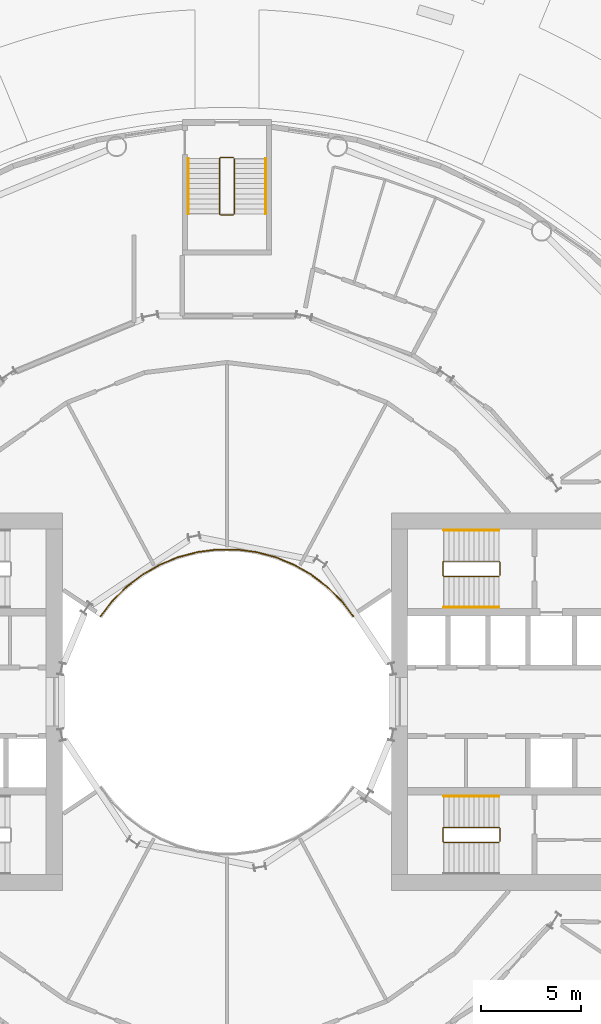
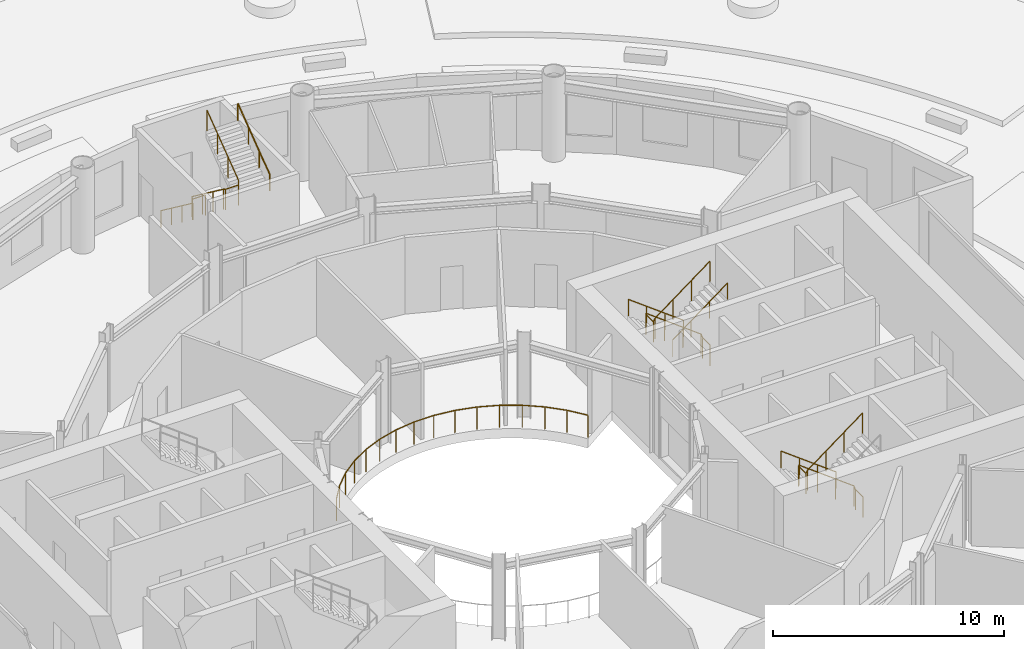
# One storey, part 19 of 19: 9 railings.
"""IFC4 building model written with IfcOpenShell, lengths in metres."""

from ifc_helpers import new_model, si_unit, direction, frame, origin, origin_2d, place, context, subcontext, project, spatial, circle, extrude, material, type_object, element, save


model = new_model("IFC4")

# Units and contexts
model_context = context("Model", 3, precision=1e-05, world=origin(), true_north=direction((0.0, 1.0)))
body_context = subcontext(model_context, "Body", "Model", "MODEL_VIEW")
ifc_project = project(units=[si_unit("LENGTHUNIT", "METRE"), si_unit("AREAUNIT", "SQUARE_METRE"), si_unit("VOLUMEUNIT", "CUBIC_METRE"), si_unit("PLANEANGLEUNIT", "RADIAN"), si_unit("MASSUNIT", "GRAM", prefix="KILO")], contexts=[model_context])

# Site, building, storey
site_placement = place(None, origin())
site = spatial("IfcSite", under=ifc_project, at=site_placement, CompositionType="ELEMENT")
building_placement = place(site_placement, origin())
building = spatial("IfcBuilding", under=site, at=building_placement, Name="Maasbend Ring Residences", CompositionType="ELEMENT")
storey_placement = place(building_placement, frame((0.0, 0.0, 9.60009765625)))
storey = spatial("IfcBuildingStorey", under=building, at=storey_placement, Name="L02", CompositionType="ELEMENT", Elevation=9.60009765625)

# Railings
ifc_material_1 = material(Name="Stainless steel 316 and glass", Category="steel")
railing_type_1 = type_object("IfcRailingType", Name="RL-GUARD", PredefinedType="GUARDRAIL", material=ifc_material_1)
railing_1_placement = place(storey_placement, frame((6.296875, 4.25537109375, 0.0)))
element("IfcRailing", 1, at=railing_1_placement, inside=storey, type_object=railing_type_1, Name="Well guard 1", PredefinedType="GUARDRAIL", context=body_context, shape_type="SweptSolid", body=[
    extrude(circle(Radius=0.02490234375, at=origin_2d()), frame((0.0, 0.0, 1.1748046875), z_axis=(-0.61260637429, 0.790388151593, 0.0), x_axis=(-0.790388151593, -0.61260637429, 0.0)), (0.0, 0.0, 1.0), 0.98876953125),
    extrude(circle(Radius=0.02490234375, at=origin_2d()), frame((-0.605712890625, 0.781494140625, 1.1748046875), z_axis=(-0.710063286319, 0.704137862511, 0.0), x_axis=(-0.704137862511, -0.710063286319, 0.0)), (0.0, 0.0, 1.0), 0.98876953125),
    extrude(circle(Radius=0.02490234375, at=origin_2d()), frame((-1.307861328125, 1.477783203125, 1.1748046875), z_axis=(-0.795414718638, 0.606065528944, 0.0), x_axis=(-0.606065528944, -0.795414718638, 0.0)), (0.0, 0.0, 1.0), 0.989013671875),
    extrude(circle(Radius=0.02490234375, at=origin_2d()), frame((-2.094482421875, 2.0771484375, 1.1748046875), z_axis=(-0.867436652983, 0.497547638987, 0.0), x_axis=(-0.497547638987, -0.867436652983, 0.0)), (0.0, 0.0, 1.0), 0.98876953125),
    extrude(circle(Radius=0.02490234375, at=origin_2d()), frame((-2.9521484375, 2.569091796875, 1.1748046875), z_axis=(-0.924683211941, 0.380737386599, 0.0), x_axis=(-0.380737386599, -0.924683211941, 0.0)), (0.0, 0.0, 1.0), 0.98876953125),
    extrude(circle(Radius=0.02490234375, at=origin_2d()), frame((-3.866455078125, 2.945556640625, 1.1748046875), z_axis=(-0.966279997956, 0.257493622348, 0.0), x_axis=(-0.257493622348, -0.966279997956, 0.0)), (0.0, 0.0, 1.0), 0.989013671875),
    extrude(circle(Radius=0.02490234375, at=origin_2d()), frame((-4.822021484375, 3.2001953125, 1.1748046875), z_axis=(-0.991531433773, 0.129866915878, 0.0), x_axis=(-0.129866915878, -0.991531433773, 0.0)), (0.0, 0.0, 1.0), 0.98876953125),
    extrude(circle(Radius=0.02490234375, at=origin_2d()), frame((-5.802490234375, 3.32861328125, 1.1748046875), z_axis=(-1.0, 0.0, 0.0), x_axis=(0.0, -1.0, 0.0)), (0.0, 0.0, 1.0), 0.98876953125),
    extrude(circle(Radius=0.02490234375, at=origin_2d()), frame((-6.791259765625, 3.32861328125, 1.1748046875), z_axis=(-0.991531433773, -0.129866915878, 0.0), x_axis=(0.129866915878, -0.991531433773, 0.0)), (0.0, 0.0, 1.0), 0.98876953125),
    extrude(circle(Radius=0.02490234375, at=origin_2d()), frame((-7.771728515625, 3.2001953125, 1.1748046875), z_axis=(-0.966279997956, -0.257493622348, 0.0), x_axis=(0.257493622348, -0.966279997956, 0.0)), (0.0, 0.0, 1.0), 0.989013671875),
    extrude(circle(Radius=0.02490234375, at=origin_2d()), frame((-8.727294921875, 2.945556640625, 1.1748046875), z_axis=(-0.924683211941, -0.380737386599, 0.0), x_axis=(0.380737386599, -0.924683211941, 0.0)), (0.0, 0.0, 1.0), 0.98876953125),
    extrude(circle(Radius=0.02490234375, at=origin_2d()), frame((-9.6416015625, 2.569091796875, 1.1748046875), z_axis=(-0.867436652983, -0.497547638987, 0.0), x_axis=(0.497547638987, -0.867436652983, 0.0)), (0.0, 0.0, 1.0), 0.98876953125),
    extrude(circle(Radius=0.02490234375, at=origin_2d()), frame((-10.499267578125, 2.0771484375, 1.1748046875), z_axis=(-0.795414718638, -0.606065528944, 0.0), x_axis=(0.606065528944, -0.795414718638, 0.0)), (0.0, 0.0, 1.0), 0.989013671875),
    extrude(circle(Radius=0.02490234375, at=origin_2d()), frame((-11.285888671875, 1.477783203125, 1.1748046875), z_axis=(-0.710063286319, -0.704137862511, 0.0), x_axis=(0.704137862511, -0.710063286319, 0.0)), (0.0, 0.0, 1.0), 0.98876953125),
    extrude(circle(Radius=0.02490234375, at=origin_2d()), frame((-11.988037109375, 0.781494140625, 1.1748046875), z_axis=(-0.61260637429, -0.790388151593, 0.0), x_axis=(0.790388151593, -0.61260637429, 0.0)), (0.0, 0.0, 1.0), 0.98876953125),
    extrude(circle(Radius=0.02001953125, at=origin_2d()), origin(), (0.0, 0.0, 1.0), 1.14990234375),
    extrude(circle(Radius=0.02001953125, at=origin_2d()), frame((-0.605712890625, 0.781494140625, 0.0)), (0.0, 0.0, 1.0), 1.14990234375),
    extrude(circle(Radius=0.02001953125, at=origin_2d()), frame((-1.307861328125, 1.477783203125, 0.0)), (0.0, 0.0, 1.0), 1.14990234375),
    extrude(circle(Radius=0.02001953125, at=origin_2d()), frame((-2.094482421875, 2.0771484375, 0.0)), (0.0, 0.0, 1.0), 1.14990234375),
    extrude(circle(Radius=0.02001953125, at=origin_2d()), frame((-2.9521484375, 2.569091796875, 0.0)), (0.0, 0.0, 1.0), 1.14990234375),
    extrude(circle(Radius=0.02001953125, at=origin_2d()), frame((-3.866455078125, 2.945556640625, 0.0)), (0.0, 0.0, 1.0), 1.14990234375),
    extrude(circle(Radius=0.02001953125, at=origin_2d()), frame((-4.822021484375, 3.2001953125, 0.0)), (0.0, 0.0, 1.0), 1.14990234375),
    extrude(circle(Radius=0.02001953125, at=origin_2d()), frame((-5.802490234375, 3.32861328125, 0.0)), (0.0, 0.0, 1.0), 1.14990234375),
    extrude(circle(Radius=0.02001953125, at=origin_2d()), frame((-6.791259765625, 3.32861328125, 0.0)), (0.0, 0.0, 1.0), 1.14990234375),
    extrude(circle(Radius=0.02001953125, at=origin_2d()), frame((-7.771728515625, 3.2001953125, 0.0)), (0.0, 0.0, 1.0), 1.14990234375),
    extrude(circle(Radius=0.02001953125, at=origin_2d()), frame((-8.727294921875, 2.945556640625, 0.0)), (0.0, 0.0, 1.0), 1.14990234375),
    extrude(circle(Radius=0.02001953125, at=origin_2d()), frame((-9.6416015625, 2.569091796875, 0.0)), (0.0, 0.0, 1.0), 1.14990234375),
    extrude(circle(Radius=0.02001953125, at=origin_2d()), frame((-10.499267578125, 2.0771484375, 0.0)), (0.0, 0.0, 1.0), 1.14990234375),
    extrude(circle(Radius=0.02001953125, at=origin_2d()), frame((-11.285888671875, 1.477783203125, 0.0)), (0.0, 0.0, 1.0), 1.14990234375),
    extrude(circle(Radius=0.02001953125, at=origin_2d()), frame((-11.988037109375, 0.781494140625, 0.0)), (0.0, 0.0, 1.0), 1.14990234375),
    extrude(circle(Radius=0.02001953125, at=origin_2d()), frame((-12.59375, 0.0, 0.0)), (0.0, 0.0, 1.0), 1.14990234375),
])
ifc_material_2 = material(Name="Stainless steel 316", Category="steel")
railing_type_2 = type_object("IfcRailingType", Name="STAIR GUARD 1100", PredefinedType="GUARDRAIL", material=ifc_material_2)
railing_2_placement = place(storey_placement, frame((13.60009765625, 6.300048828125, 0.0)))
element("IfcRailing", 2, at=railing_2_placement, inside=storey, type_object=railing_type_2, Name="L02 ST-E1 stair guard 1", PredefinedType="GUARDRAIL", context=body_context, shape_type="SweptSolid", body=[
    extrude(circle(Radius=0.02392578125, at=origin_2d()), frame((0.0, 0.0, 1.076171875), z_axis=(0.0, 1.0, 0.0), x_axis=(-1.0, 0.0, 0.0)), (0.0, 0.0, 1.0), 0.64990234375),
    extrude(circle(Radius=0.02392578125, at=origin_2d()), frame((0.0, 0.64990234375, 1.076171875), z_axis=(-0.249726431254, 0.249726431254, 0.935560483917), x_axis=(-0.707106781187, -0.707106781187, 0.0)), (0.0, 0.0, 1.0), 0.200439453125),
    extrude(circle(Radius=0.02392578125, at=origin_2d()), frame((-0.050048828125, 0.699951171875, 1.263671875), z_axis=(-0.8, 0.0, 0.6), x_axis=(0.0, -1.0, 0.0)), (0.0, 0.0, 1.0), 3.4375),
    extrude(circle(Radius=0.02392578125, at=origin_2d()), frame((-2.800048828125, 0.699951171875, 3.326171875), z_axis=(-0.707106781187, -0.707106781187, 0.0), x_axis=(0.707106781187, -0.707106781187, 0.0)), (0.0, 0.0, 1.0), 0.07080078125),
    extrude(circle(Radius=0.02392578125, at=origin_2d()), frame((-2.85009765625, 0.64990234375, 3.326171875), z_axis=(0.0, -1.0, 0.0), x_axis=(1.0, 0.0, 0.0)), (0.0, 0.0, 1.0), 0.64990234375),
    extrude(circle(Radius=0.02392578125, at=origin_2d()), frame((-2.85009765625, 0.0, 3.326171875), z_axis=(0.249726431254, -0.249726431254, 0.935560483917), x_axis=(0.707106781187, 0.707106781187, 0.0)), (0.0, 0.0, 1.0), 0.200439453125),
    extrude(circle(Radius=0.02392578125, at=origin_2d()), frame((-2.800048828125, -0.050048828125, 3.513671875), z_axis=(0.8, 0.0, 0.6), x_axis=(0.0, 1.0, 0.0)), (0.0, 0.0, 1.0), 3.4375),
    extrude(circle(Radius=0.02099609375, at=origin_2d()), origin(), (0.0, 0.0, 1.0), 1.052001953125),
    extrude(circle(Radius=0.02099609375, at=origin_2d()), frame((0.0, 0.64990234375, 0.0)), (0.0, 0.0, 1.0), 1.052001953125),
    extrude(circle(Radius=0.02099609375, at=origin_2d()), frame((-0.050048828125, 0.699951171875, 0.1875)), (0.0, 0.0, 1.0), 1.052001953125),
    extrude(circle(Radius=0.02099609375, at=origin_2d()), frame((-0.966796875, 0.699951171875, 0.875)), (0.0, 0.0, 1.0), 1.052001953125),
    extrude(circle(Radius=0.02099609375, at=origin_2d()), frame((-1.88330078125, 0.699951171875, 1.5625)), (0.0, 0.0, 1.0), 1.052001953125),
    extrude(circle(Radius=0.02099609375, at=origin_2d()), frame((-2.800048828125, 0.699951171875, 2.25)), (0.0, 0.0, 1.0), 1.052001953125),
    extrude(circle(Radius=0.02099609375, at=origin_2d()), frame((-2.85009765625, 0.64990234375, 2.25)), (0.0, 0.0, 1.0), 1.052001953125),
    extrude(circle(Radius=0.02099609375, at=origin_2d()), frame((-2.85009765625, 0.0, 2.25)), (0.0, 0.0, 1.0), 1.052001953125),
    extrude(circle(Radius=0.02099609375, at=origin_2d()), frame((-2.800048828125, -0.050048828125, 2.4375)), (0.0, 0.0, 1.0), 1.052001953125),
    extrude(circle(Radius=0.02099609375, at=origin_2d()), frame((-1.88330078125, -0.050048828125, 3.125)), (0.0, 0.0, 1.0), 1.052001953125),
    extrude(circle(Radius=0.02099609375, at=origin_2d()), frame((-0.966796875, -0.050048828125, 3.8125)), (0.0, 0.0, 1.0), 1.052001953125),
    extrude(circle(Radius=0.02099609375, at=origin_2d()), frame((-0.050048828125, -0.050048828125, 4.5)), (0.0, 0.0, 1.0), 1.052001953125),
])
railing_3_placement = place(storey_placement, frame((13.60009765625, -6.949951171875, 0.0)))
element("IfcRailing", 3, at=railing_3_placement, inside=storey, type_object=railing_type_2, Name="L02 ST-E2 stair guard 1", PredefinedType="GUARDRAIL", context=body_context, shape_type="SweptSolid", body=[
    extrude(circle(Radius=0.02392578125, at=origin_2d()), frame((0.0, 0.0, 1.076171875), z_axis=(0.0, 1.0, 0.0), x_axis=(-1.0, 0.0, 0.0)), (0.0, 0.0, 1.0), 0.64990234375),
    extrude(circle(Radius=0.02392578125, at=origin_2d()), frame((0.0, 0.64990234375, 1.076171875), z_axis=(-0.249726431254, 0.249726431254, 0.935560483917), x_axis=(-0.707106781187, -0.707106781187, 0.0)), (0.0, 0.0, 1.0), 0.200439453125),
    extrude(circle(Radius=0.02392578125, at=origin_2d()), frame((-0.050048828125, 0.699951171875, 1.263671875), z_axis=(-0.8, 0.0, 0.6), x_axis=(0.0, -1.0, 0.0)), (0.0, 0.0, 1.0), 3.4375),
    extrude(circle(Radius=0.02392578125, at=origin_2d()), frame((-2.800048828125, 0.699951171875, 3.326171875), z_axis=(-0.707106781187, -0.707106781187, 0.0), x_axis=(0.707106781187, -0.707106781187, 0.0)), (0.0, 0.0, 1.0), 0.07080078125),
    extrude(circle(Radius=0.02392578125, at=origin_2d()), frame((-2.85009765625, 0.64990234375, 3.326171875), z_axis=(0.0, -1.0, 0.0), x_axis=(1.0, 0.0, 0.0)), (0.0, 0.0, 1.0), 0.64990234375),
    extrude(circle(Radius=0.02392578125, at=origin_2d()), frame((-2.85009765625, 0.0, 3.326171875), z_axis=(0.249726431254, -0.249726431254, 0.935560483917), x_axis=(0.707106781187, 0.707106781187, 0.0)), (0.0, 0.0, 1.0), 0.200439453125),
    extrude(circle(Radius=0.02392578125, at=origin_2d()), frame((-2.800048828125, -0.050048828125, 3.513671875), z_axis=(0.8, 0.0, 0.6), x_axis=(0.0, 1.0, 0.0)), (0.0, 0.0, 1.0), 3.4375),
    extrude(circle(Radius=0.02099609375, at=origin_2d()), origin(), (0.0, 0.0, 1.0), 1.052001953125),
    extrude(circle(Radius=0.02099609375, at=origin_2d()), frame((0.0, 0.64990234375, 0.0)), (0.0, 0.0, 1.0), 1.052001953125),
    extrude(circle(Radius=0.02099609375, at=origin_2d()), frame((-0.050048828125, 0.699951171875, 0.1875)), (0.0, 0.0, 1.0), 1.052001953125),
    extrude(circle(Radius=0.02099609375, at=origin_2d()), frame((-0.966796875, 0.699951171875, 0.875)), (0.0, 0.0, 1.0), 1.052001953125),
    extrude(circle(Radius=0.02099609375, at=origin_2d()), frame((-1.88330078125, 0.699951171875, 1.5625)), (0.0, 0.0, 1.0), 1.052001953125),
    extrude(circle(Radius=0.02099609375, at=origin_2d()), frame((-2.800048828125, 0.699951171875, 2.25)), (0.0, 0.0, 1.0), 1.052001953125),
    extrude(circle(Radius=0.02099609375, at=origin_2d()), frame((-2.85009765625, 0.64990234375, 2.25)), (0.0, 0.0, 1.0), 1.052001953125),
    extrude(circle(Radius=0.02099609375, at=origin_2d()), frame((-2.85009765625, 0.0, 2.25)), (0.0, 0.0, 1.0), 1.052001953125),
    extrude(circle(Radius=0.02099609375, at=origin_2d()), frame((-2.800048828125, -0.050048828125, 2.4375)), (0.0, 0.0, 1.0), 1.052001953125),
    extrude(circle(Radius=0.02099609375, at=origin_2d()), frame((-1.88330078125, -0.050048828125, 3.125)), (0.0, 0.0, 1.0), 1.052001953125),
    extrude(circle(Radius=0.02099609375, at=origin_2d()), frame((-0.966796875, -0.050048828125, 3.8125)), (0.0, 0.0, 1.0), 1.052001953125),
    extrude(circle(Radius=0.02099609375, at=origin_2d()), frame((-0.050048828125, -0.050048828125, 4.5)), (0.0, 0.0, 1.0), 1.052001953125),
])
railing_4_placement = place(storey_placement, frame((0.324951171875, 27.10009765625, 0.0)))
element("IfcRailing", 4, at=railing_4_placement, inside=storey, type_object=railing_type_2, Name="L02 ST-P4 stair guard 1", PredefinedType="GUARDRAIL", context=body_context, shape_type="SweptSolid", body=[
    extrude(circle(Radius=0.02392578125, at=origin_2d()), frame((0.0, 0.0, 1.076171875), z_axis=(-1.0, 0.0, 0.0), x_axis=(0.0, -1.0, 0.0)), (0.0, 0.0, 1.0), 0.64990234375),
    extrude(circle(Radius=0.02392578125, at=origin_2d()), frame((-0.64990234375, 0.0, 1.076171875), z_axis=(-0.249726431254, -0.249726431254, 0.935560483917), x_axis=(0.707106781187, -0.707106781187, 0.0)), (0.0, 0.0, 1.0), 0.200439453125),
    extrude(circle(Radius=0.02392578125, at=origin_2d()), frame((-0.699951171875, -0.050048828125, 1.263671875), z_axis=(0.0, -0.8, 0.6), x_axis=(1.0, 0.0, 0.0)), (0.0, 0.0, 1.0), 3.4375),
    extrude(circle(Radius=0.02392578125, at=origin_2d()), frame((-0.699951171875, -2.800048828125, 3.326171875), z_axis=(0.707106781187, -0.707106781187, 0.0), x_axis=(0.707106781187, 0.707106781187, 0.0)), (0.0, 0.0, 1.0), 0.07080078125),
    extrude(circle(Radius=0.02392578125, at=origin_2d()), frame((-0.64990234375, -2.85009765625, 3.326171875), z_axis=(1.0, 0.0, 0.0), x_axis=(0.0, 1.0, 0.0)), (0.0, 0.0, 1.0), 0.64990234375),
    extrude(circle(Radius=0.02392578125, at=origin_2d()), frame((0.0, -2.85009765625, 3.326171875), z_axis=(0.249726431254, 0.249726431254, 0.935560483917), x_axis=(-0.707106781187, 0.707106781187, 0.0)), (0.0, 0.0, 1.0), 0.200439453125),
    extrude(circle(Radius=0.02392578125, at=origin_2d()), frame((0.050048828125, -2.800048828125, 3.513671875), z_axis=(0.0, 0.8, 0.6), x_axis=(-1.0, 0.0, 0.0)), (0.0, 0.0, 1.0), 3.4375),
    extrude(circle(Radius=0.02099609375, at=origin_2d()), origin(), (0.0, 0.0, 1.0), 1.052001953125),
    extrude(circle(Radius=0.02099609375, at=origin_2d()), frame((-0.64990234375, 0.0, 0.0)), (0.0, 0.0, 1.0), 1.052001953125),
    extrude(circle(Radius=0.02099609375, at=origin_2d()), frame((-0.699951171875, -0.050048828125, 0.1875)), (0.0, 0.0, 1.0), 1.052001953125),
    extrude(circle(Radius=0.02099609375, at=origin_2d()), frame((-0.699951171875, -0.966796875, 0.875)), (0.0, 0.0, 1.0), 1.052001953125),
    extrude(circle(Radius=0.02099609375, at=origin_2d()), frame((-0.699951171875, -1.88330078125, 1.5625)), (0.0, 0.0, 1.0), 1.052001953125),
    extrude(circle(Radius=0.02099609375, at=origin_2d()), frame((-0.699951171875, -2.800048828125, 2.25)), (0.0, 0.0, 1.0), 1.052001953125),
    extrude(circle(Radius=0.02099609375, at=origin_2d()), frame((-0.64990234375, -2.85009765625, 2.25)), (0.0, 0.0, 1.0), 1.052001953125),
    extrude(circle(Radius=0.02099609375, at=origin_2d()), frame((0.0, -2.85009765625, 2.25)), (0.0, 0.0, 1.0), 1.052001953125),
    extrude(circle(Radius=0.02099609375, at=origin_2d()), frame((0.050048828125, -2.800048828125, 2.4375)), (0.0, 0.0, 1.0), 1.052001953125),
    extrude(circle(Radius=0.02099609375, at=origin_2d()), frame((0.050048828125, -1.88330078125, 3.125)), (0.0, 0.0, 1.0), 1.052001953125),
    extrude(circle(Radius=0.02099609375, at=origin_2d()), frame((0.050048828125, -0.966796875, 3.8125)), (0.0, 0.0, 1.0), 1.052001953125),
    extrude(circle(Radius=0.02099609375, at=origin_2d()), frame((0.050048828125, -0.050048828125, 4.5)), (0.0, 0.0, 1.0), 1.052001953125),
])
ifc_material_3 = material(Name="Stainless steel 316", Category="steel")
railing_type_3 = type_object("IfcRailingType", Name="STAIR HANDRAIL 900", PredefinedType="HANDRAIL", material=ifc_material_3)
railing_5_placement = place(storey_placement, frame((13.550048828125, 8.550048828125, 0.1875)))
element("IfcRailing", 5, at=railing_5_placement, inside=storey, type_object=railing_type_3, Name="L02 ST-E1 stair handrail 1", PredefinedType="HANDRAIL", context=body_context, shape_type="SweptSolid", body=[
    extrude(circle(Radius=0.02392578125, at=origin_2d()), frame((0.0, 0.0, 0.8759765625), z_axis=(-0.8, 0.0, 0.6), x_axis=(0.0, -1.0, 0.0)), (0.0, 0.0, 1.0), 3.4375),
    extrude(circle(Radius=0.02099609375, at=origin_2d()), origin(), (0.0, 0.0, 1.0), 0.851806640625),
    extrude(circle(Radius=0.02099609375, at=origin_2d()), frame((-0.916748046875, 0.0, 0.6875)), (0.0, 0.0, 1.0), 0.851806640625),
    extrude(circle(Radius=0.02099609375, at=origin_2d()), frame((-1.833251953125, 0.0, 1.375)), (0.0, 0.0, 1.0), 0.851806640625),
    extrude(circle(Radius=0.02099609375, at=origin_2d()), frame((-2.75, 0.0, 2.0625)), (0.0, 0.0, 1.0), 0.851806640625),
])
railing_6_placement = place(storey_placement, frame((10.800048828125, 4.699951171875, 2.4375)))
element("IfcRailing", 6, at=railing_6_placement, inside=storey, type_object=railing_type_3, Name="L02 ST-E1 stair handrail 2", PredefinedType="HANDRAIL", context=body_context, shape_type="SweptSolid", body=[
    extrude(circle(Radius=0.02392578125, at=origin_2d()), frame((0.0, 0.0, 0.8759765625), z_axis=(0.8, 0.0, 0.6), x_axis=(0.0, 1.0, 0.0)), (0.0, 0.0, 1.0), 3.4375),
    extrude(circle(Radius=0.02099609375, at=origin_2d()), origin(), (0.0, 0.0, 1.0), 0.851806640625),
    extrude(circle(Radius=0.02099609375, at=origin_2d()), frame((0.916748046875, 0.0, 0.6875)), (0.0, 0.0, 1.0), 0.851806640625),
    extrude(circle(Radius=0.02099609375, at=origin_2d()), frame((1.833251953125, 0.0, 1.375)), (0.0, 0.0, 1.0), 0.851806640625),
    extrude(circle(Radius=0.02099609375, at=origin_2d()), frame((2.75, 0.0, 2.0625)), (0.0, 0.0, 1.0), 0.851806640625),
])
railing_7_placement = place(storey_placement, frame((13.550048828125, -4.699951171875, 0.1875)))
element("IfcRailing", 7, at=railing_7_placement, inside=storey, type_object=railing_type_3, Name="L02 ST-E2 stair handrail 1", PredefinedType="HANDRAIL", context=body_context, shape_type="SweptSolid", body=[
    extrude(circle(Radius=0.02392578125, at=origin_2d()), frame((0.0, 0.0, 0.8759765625), z_axis=(-0.8, 0.0, 0.6), x_axis=(0.0, -1.0, 0.0)), (0.0, 0.0, 1.0), 3.4375),
    extrude(circle(Radius=0.02099609375, at=origin_2d()), origin(), (0.0, 0.0, 1.0), 0.851806640625),
    extrude(circle(Radius=0.02099609375, at=origin_2d()), frame((-0.916748046875, 0.0, 0.6875)), (0.0, 0.0, 1.0), 0.851806640625),
    extrude(circle(Radius=0.02099609375, at=origin_2d()), frame((-1.833251953125, 0.0, 1.375)), (0.0, 0.0, 1.0), 0.851806640625),
    extrude(circle(Radius=0.02099609375, at=origin_2d()), frame((-2.75, 0.0, 2.0625)), (0.0, 0.0, 1.0), 0.851806640625),
])
railing_8_placement = place(storey_placement, frame((-1.925048828125, 27.050048828125, 0.1875)))
element("IfcRailing", 8, at=railing_8_placement, inside=storey, type_object=railing_type_3, Name="L02 ST-P4 stair handrail 1", PredefinedType="HANDRAIL", context=body_context, shape_type="SweptSolid", body=[
    extrude(circle(Radius=0.02392578125, at=origin_2d()), frame((0.0, 0.0, 0.8759765625), z_axis=(0.0, -0.8, 0.6), x_axis=(1.0, 0.0, 0.0)), (0.0, 0.0, 1.0), 3.4375),
    extrude(circle(Radius=0.02099609375, at=origin_2d()), origin(), (0.0, 0.0, 1.0), 0.851806640625),
    extrude(circle(Radius=0.02099609375, at=origin_2d()), frame((0.0, -0.916748046875, 0.6875)), (0.0, 0.0, 1.0), 0.851806640625),
    extrude(circle(Radius=0.02099609375, at=origin_2d()), frame((0.0, -1.833251953125, 1.375)), (0.0, 0.0, 1.0), 0.851806640625),
    extrude(circle(Radius=0.02099609375, at=origin_2d()), frame((0.0, -2.75, 2.0625)), (0.0, 0.0, 1.0), 0.851806640625),
])
railing_9_placement = place(storey_placement, frame((1.925048828125, 24.300048828125, 2.4375)))
element("IfcRailing", 9, at=railing_9_placement, inside=storey, type_object=railing_type_3, Name="L02 ST-P4 stair handrail 2", PredefinedType="HANDRAIL", context=body_context, shape_type="SweptSolid", body=[
    extrude(circle(Radius=0.02392578125, at=origin_2d()), frame((0.0, 0.0, 0.8759765625), z_axis=(0.0, 0.8, 0.6), x_axis=(-1.0, 0.0, 0.0)), (0.0, 0.0, 1.0), 3.4375),
    extrude(circle(Radius=0.02099609375, at=origin_2d()), origin(), (0.0, 0.0, 1.0), 0.851806640625),
    extrude(circle(Radius=0.02099609375, at=origin_2d()), frame((0.0, 0.916748046875, 0.6875)), (0.0, 0.0, 1.0), 0.851806640625),
    extrude(circle(Radius=0.02099609375, at=origin_2d()), frame((0.0, 1.833251953125, 1.375)), (0.0, 0.0, 1.0), 0.851806640625),
    extrude(circle(Radius=0.02099609375, at=origin_2d()), frame((0.0, 2.75, 2.0625)), (0.0, 0.0, 1.0), 0.851806640625),
])

save(model, "model.ifc")
